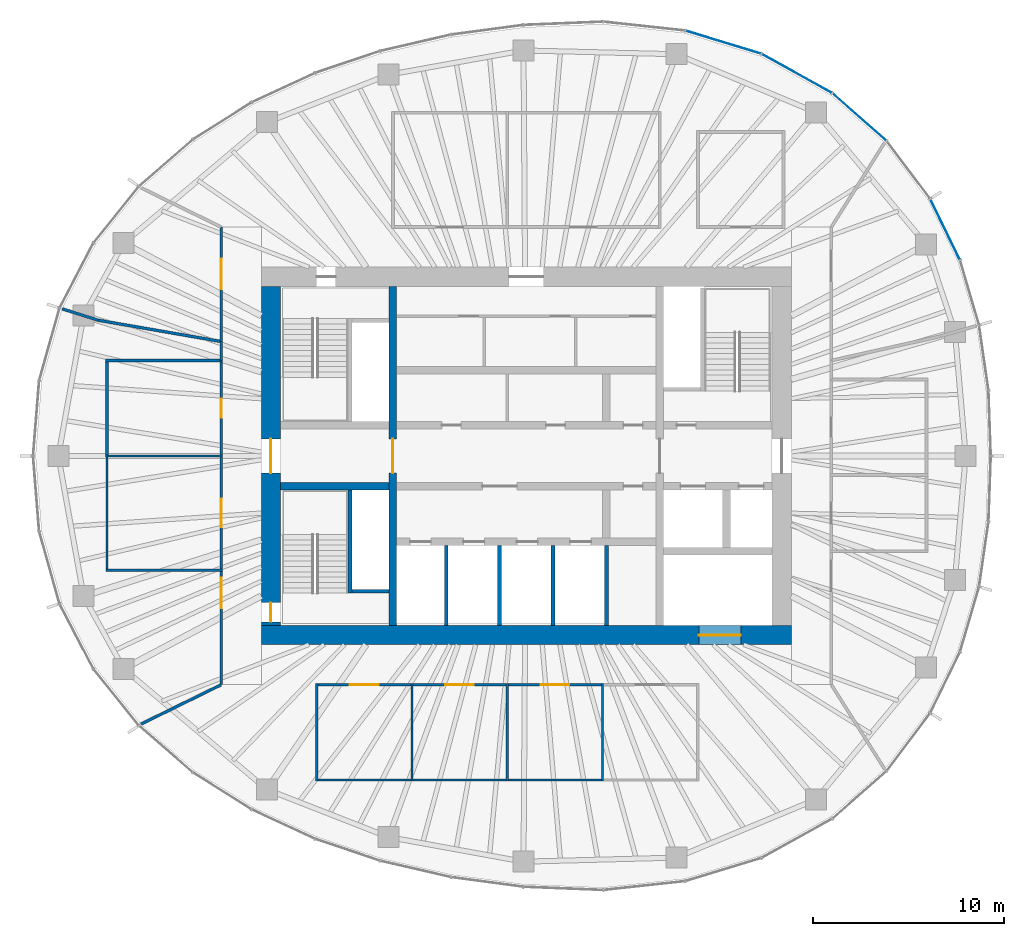
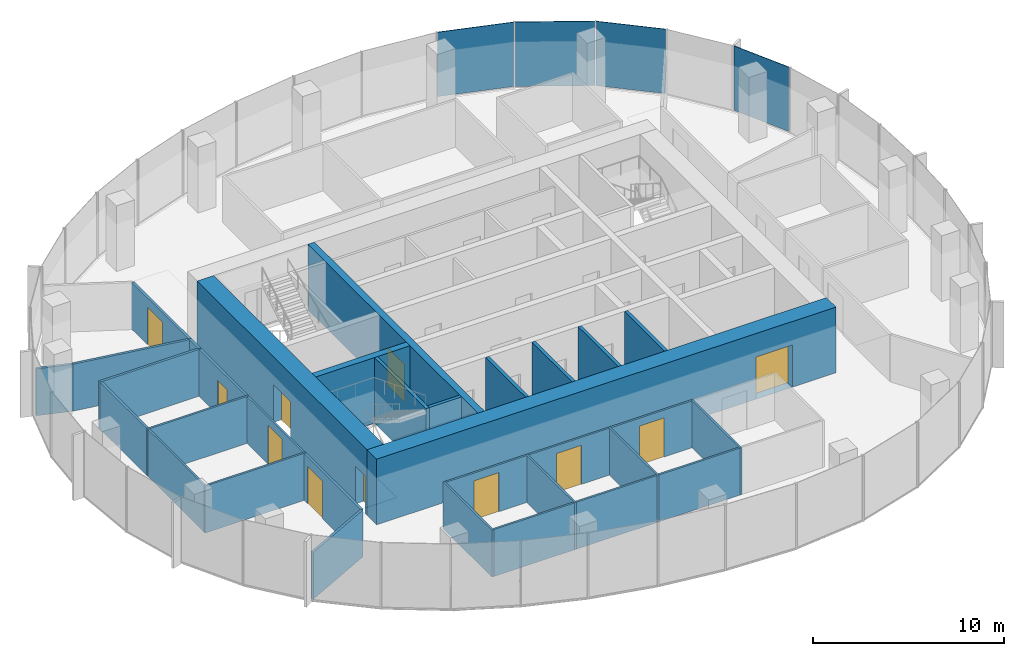
# One storey, part 8 of 11: 33 walls, 11 doors, 4 plates, 11 openings, 3 elements without a shape of their own.
"""IFC4 building model written with IfcOpenShell, lengths in metres."""

import ifcopenshell
import ifcopenshell.guid

model = None  # the IFC model being written
_history = None  # IfcOwnerHistory: only IFC2X3 demands one
_inside = {}  # id of a spatial element -> (the spatial element, [elements in it])
_under = {}  # id of a project, library or spatial element -> (it, [spatial elements below it])
_declared = {}  # id of a project -> (the project, [libraries it declares])
_typed = {}  # id of a type object -> (the type object, [elements of that type])
_made_of = {}  # id of a material, layer set ... -> (it, [elements and type objects made of it])


def new_model(schema):
    """Start an empty IFC model of exactly this schema.

    Asked for "IFC4X3", IfcOpenShell would pick the latest addendum, in which some entities
    have other attributes; the version numbers below select the first issue.
    IFC2X3 requires an IfcOwnerHistory on every rooted entity: one is made here for all.
    """
    global model, _history
    if schema == "IFC4X3":
        model = ifcopenshell.file(schema_version=(4, 3, 0, 0))
    else:
        model = ifcopenshell.file(schema=schema)
    _inside.clear()
    _under.clear()
    _declared.clear()
    _typed.clear()
    _made_of.clear()
    _history = None
    if model.schema == "IFC2X3":
        org = make("IfcOrganization", Name="unknown")
        user = make(
            "IfcPersonAndOrganization",
            ThePerson=make("IfcPerson", FamilyName="unknown"),
            TheOrganization=org,
        )
        app = make(
            "IfcApplication",
            ApplicationDeveloper=org,
            Version="unknown",
            ApplicationFullName="unknown",
            ApplicationIdentifier="unknown",
        )
        _history = make(
            "IfcOwnerHistory",
            OwningUser=user,
            OwningApplication=app,
            ChangeAction="ADDED",
            CreationDate=0,
        )
    return model


def make(cls, **values):
    """One entity of the class cls with the attributes given. An attribute that is None is left unset."""
    return model.create_entity(
        cls, **{name: value for name, value in values.items() if value is not None}
    )


def rooted(cls, **values):
    """An entity with a GlobalId (a new one), such as an element, a storey or a relation."""
    return make(cls, GlobalId=ifcopenshell.guid.new(), OwnerHistory=_history, **values)


def si_unit(unit_type, name, prefix=None):
    """IfcSIUnit, for example si_unit("LENGTHUNIT", "METRE", prefix="MILLI")."""
    return make("IfcSIUnit", UnitType=unit_type, Prefix=prefix, Name=name)


def assignment(units):
    """IfcUnitAssignment: the units of a project."""
    return None if units is None else make("IfcUnitAssignment", Units=units)


def point(xyz):
    """IfcCartesianPoint."""
    return None if xyz is None else make("IfcCartesianPoint", Coordinates=xyz)


def direction(xyz):
    """IfcDirection."""
    return None if xyz is None else make("IfcDirection", DirectionRatios=xyz)


def frame(location, z_axis=None, x_axis=None):
    """IfcAxis2Placement3D, a coordinate frame: its origin and axes. An axis left out is left unset."""
    return make(
        "IfcAxis2Placement3D",
        Location=point(location),
        Axis=direction(z_axis),
        RefDirection=direction(x_axis),
    )


def frame_2d(location, x_axis=None):
    """IfcAxis2Placement2D, a coordinate frame in the plane: its origin and x axis."""
    return make(
        "IfcAxis2Placement2D", Location=point(location), RefDirection=direction(x_axis)
    )


def origin():
    """The frame at (0, 0, 0) with its axes left unset."""
    return frame((0.0, 0.0, 0.0))


def origin_2d():
    """The frame at (0, 0) in the plane with its x axis left unset."""
    return frame_2d((0.0, 0.0))


def place(relative_to, where):
    """IfcLocalPlacement: puts the frame where relative to a parent placement (None: the world)."""
    return make(
        "IfcLocalPlacement", PlacementRelTo=relative_to, RelativePlacement=where
    )


def context(
    kind, dimensions, precision=None, world=None, true_north=None, identifier=None
):
    """IfcGeometricRepresentationContext, for example the 3D "Model" context."""
    return make(
        "IfcGeometricRepresentationContext",
        ContextIdentifier=identifier,
        ContextType=kind,
        CoordinateSpaceDimension=dimensions,
        Precision=precision,
        WorldCoordinateSystem=world,
        TrueNorth=true_north,
    )


def subcontext(parent, identifier, kind, view, scale=None):
    """IfcGeometricRepresentationSubContext, for example "Body" below "Model"."""
    return make(
        "IfcGeometricRepresentationSubContext",
        ContextIdentifier=identifier,
        ContextType=kind,
        ParentContext=parent,
        TargetScale=scale,
        TargetView=view,
    )


def project(units=None, contexts=None):
    """IfcProject with its units and contexts."""
    return rooted(
        "IfcProject",
        Name="project",
        RepresentationContexts=contexts,
        UnitsInContext=assignment(units),
    )


def spatial(cls, under=None, at=None, **own):
    """A site, building, storey or space (cls), placed at a placement, below another one or the project."""
    s = rooted(cls, ObjectPlacement=at, **own)
    if under is not None:
        _under.setdefault(under.id(), (under, []))[1].append(s)
    return s


def profile(cls, at=None, kind="AREA", **sizes):
    """A parametric profile (cls). Its sizes go by their IFC names, for example OverallWidth=200.0."""
    return make(cls, ProfileType=kind, Position=at, **sizes)


def rectangle(**sizes):
    """IfcRectangleProfileDef."""
    return profile("IfcRectangleProfileDef", **sizes)


def extrude(swept, where, along, depth):
    """IfcExtrudedAreaSolid: the profile swept, set in the frame where, extruded along a direction by depth."""
    return make(
        "IfcExtrudedAreaSolid",
        SweptArea=swept,
        Position=where,
        ExtrudedDirection=direction(along),
        Depth=depth,
    )


def shape(context_of_items, identifier, shape_type, items):
    """IfcShapeRepresentation: the items that make up one representation, for example the "Body"."""
    return make(
        "IfcShapeRepresentation",
        ContextOfItems=context_of_items,
        RepresentationIdentifier=identifier,
        RepresentationType=shape_type,
        Items=items,
    )


def material(Name=None, Category=None):
    """IfcMaterial."""
    return make("IfcMaterial", Name=Name, Category=Category)


def layer(
    of_material, thickness, ventilated=None, Name=None, Category=None, Priority=None
):
    """IfcMaterialLayer: one layer of a wall or slab, of a material (None: an air gap)."""
    return make(
        "IfcMaterialLayer",
        Material=of_material,
        LayerThickness=thickness,
        IsVentilated=ventilated,
        Name=Name,
        Category=Category,
        Priority=Priority,
    )


def layer_set(layers, Name=None):
    """IfcMaterialLayerSet."""
    return make("IfcMaterialLayerSet", MaterialLayers=layers, LayerSetName=Name)


def made_of(thing, what):
    """Note that an element or type object is made of a material, layer set ...; save() writes the relation."""
    if what is not None:
        _made_of.setdefault(what.id(), (what, []))[1].append(thing)
    return thing


def type_object(cls, material=None, **own):
    """A type object (cls), such as IfcWallType, which elements share."""
    return made_of(rooted(cls, **own), material)


def element(
    cls,
    number,
    at=None,
    inside=None,
    cuts=None,
    type_object=None,
    material=None,
    context=None,
    identifier="Body",
    shape_type=None,
    held_by="IfcProductDefinitionShape",
    body=None,
    shapes=None,
    **own,
):
    """One element of the class cls, such as IfcWall. Its Tag is "e" and its number.

    at: its placement. inside: the storey or other place that contains it. cuts: it is an
    opening in that element (IfcRelVoidsElement). A single representation is given by context,
    identifier, shape_type and body (its items); several are given by shapes. held_by: the class
    of the entity that holds the representations. save() writes the other relations.
    """
    e = rooted(cls, Tag="e%d" % number, ObjectPlacement=at, **own)
    if body is not None:
        shapes = [shape(context, identifier, shape_type, body)]
    if shapes is not None:
        e.Representation = make(held_by, Representations=shapes)
    if inside is not None:
        _inside.setdefault(inside.id(), (inside, []))[1].append(e)
    if cuts is not None:
        rooted(
            "IfcRelVoidsElement", RelatingBuildingElement=cuts, RelatedOpeningElement=e
        )
    if type_object is not None:
        _typed.setdefault(type_object.id(), (type_object, []))[1].append(e)
    return made_of(e, material)


def fill(opening, filler):
    """IfcRelFillsElement: the door or window that sits in an opening."""
    return rooted(
        "IfcRelFillsElement",
        RelatingOpeningElement=opening,
        RelatedBuildingElement=filler,
    )


def aggregate(whole, parts):
    """IfcRelAggregates: a whole, such as a stair, and the parts it consists of."""
    return rooted("IfcRelAggregates", RelatingObject=whole, RelatedObjects=parts)


def save(model, path):
    """Write the relations noted so far, then the file.

    IfcRelAggregates (storeys below a building ...), IfcRelContainedInSpatialStructure (elements
    in a storey), IfcRelDefinesByType, IfcRelAssociatesMaterial and IfcRelDeclares: one each for
    every whole, place, type object, material and project.
    """
    for whole, parts in _under.values():
        aggregate(whole, parts)
    for where, things in _inside.values():
        rooted(
            "IfcRelContainedInSpatialStructure",
            RelatedElements=things,
            RelatingStructure=where,
        )
    for kind, things in _typed.values():
        rooted("IfcRelDefinesByType", RelatedObjects=things, RelatingType=kind)
    for what, things in _made_of.values():
        rooted("IfcRelAssociatesMaterial", RelatedObjects=things, RelatingMaterial=what)
    for by, libraries in _declared.values():
        rooted("IfcRelDeclares", RelatingContext=by, RelatedDefinitions=libraries)
    model.write(path)


model = new_model("IFC4")

# Units and contexts
model_context = context("Model", 3, precision=1e-05, world=origin(), true_north=direction((0.0, 1.0)))
body_context = subcontext(model_context, "Body", "Model", "MODEL_VIEW")
ifc_project = project(units=[si_unit("LENGTHUNIT", "METRE"), si_unit("AREAUNIT", "SQUARE_METRE"), si_unit("VOLUMEUNIT", "CUBIC_METRE"), si_unit("PLANEANGLEUNIT", "RADIAN"), si_unit("MASSUNIT", "GRAM", prefix="KILO")], contexts=[model_context])

# Site, building, storey
site_placement = place(None, origin())
site = spatial("IfcSite", under=ifc_project, at=site_placement, CompositionType="ELEMENT")
building_placement = place(site_placement, origin())
building = spatial("IfcBuilding", under=site, at=building_placement, Name="Ghaith Harvest Tower", CompositionType="ELEMENT")
storey_placement = place(building_placement, frame((0.0, 0.0, 288.0)))
storey = spatial("IfcBuildingStorey", under=building, at=storey_placement, Name="L64", CompositionType="ELEMENT", Elevation=288.0)

# Curtain wall, plate
ifc_material_1 = material(Name="Black anodised aluminium and fritted glass", Category="aluminium")
curtain_wall_type = type_object("IfcCurtainWallType", Name="CW-T CURTAIN WALL", PredefinedType="NOTDEFINED", material=ifc_material_1)
curtain_wall_1_placement = place(storey_placement, origin())
curtain_wall_1 = element("IfcCurtainWall", 1, at=curtain_wall_1_placement, inside=storey, type_object=curtain_wall_type, Name="Curtain wall CW-T bay 02 L64", PredefinedType="NOTDEFINED")
ifc_material_2 = material(Name="Glass, dark solar-control fritted double glazed unit", Category="glass")
ifc_layer_1 = layer(ifc_material_2, 0.033935546875)
ifc_layer_set_1 = layer_set([ifc_layer_1], Name="CW-T VISION PANEL")
plate_type = type_object("IfcPlateType", Name="CW-T VISION PANEL", PredefinedType="CURTAIN_PANEL", material=ifc_layer_set_1)
plate_1_placement = place(storey_placement, frame((21.9716796875, 11.878662109375, 0.079833984375), z_axis=(0.0, 0.0, 1.0), x_axis=(-0.437968365148, 0.898990384337, 0.0)))
plate_1 = element("IfcPlate", 2, at=plate_1_placement, type_object=plate_type, Name="CW-T glass unit 2 bay 02 L64", PredefinedType="CURTAIN_PANEL", context=body_context, shape_type="SweptSolid", body=[
    extrude(rectangle(XDim=3.49365234375, YDim=0.033935546875, at=origin_2d()), origin(), (0.0, 0.0, 1.0), 4.1201171875),
])
aggregate(curtain_wall_1, [plate_1])

curtain_wall_2_placement = place(storey_placement, origin())
curtain_wall_2 = element("IfcCurtainWall", 3, at=curtain_wall_2_placement, inside=storey, type_object=curtain_wall_type, Name="Curtain wall CW-T bay 03 L64", PredefinedType="NOTDEFINED")
plate_2_placement = place(storey_placement, frame((17.47509765625, 17.779541015625, 0.079833984375), z_axis=(0.0, 0.0, 1.0), x_axis=(-0.751334532416, 0.659921525941, 0.0)))
plate_2 = element("IfcPlate", 4, at=plate_2_placement, type_object=plate_type, Name="CW-T glass unit 2 bay 03 L64", PredefinedType="CURTAIN_PANEL", context=body_context, shape_type="SweptSolid", body=[
    extrude(rectangle(XDim=3.7158203125, YDim=0.033935546875, at=origin_2d()), origin(), (0.0, 0.0, 1.0), 4.1201171875),
])
aggregate(curtain_wall_2, [plate_2])

# Curtain wall, plates
curtain_wall_3_placement = place(storey_placement, origin())
curtain_wall_3 = element("IfcCurtainWall", 5, at=curtain_wall_3_placement, inside=storey, type_object=curtain_wall_type, Name="Curtain wall CW-T bay 04 L64", PredefinedType="NOTDEFINED")
plate_3_placement = place(storey_placement, frame((14.19189453125, 20.06201171875, 0.079833984375), z_axis=(0.0, 0.0, 1.0), x_axis=(-0.87456402291, 0.484910063653, 0.0)))
plate_3 = element("IfcPlate", 6, at=plate_3_placement, type_object=plate_type, Name="CW-T glass unit 1 bay 04 L64", PredefinedType="CURTAIN_PANEL", context=body_context, shape_type="SweptSolid", body=[
    extrude(rectangle(XDim=4.167724609375, YDim=0.033935546875, at=origin_2d()), origin(), (0.0, 0.0, 1.0), 4.1201171875),
])
plate_4_placement = place(storey_placement, frame((10.337158203125, 21.700439453125, 0.079833984375), z_axis=(0.0, 0.0, 1.0), x_axis=(-0.956587736124, 0.291444511181, 0.0)))
plate_4 = element("IfcPlate", 7, at=plate_4_placement, type_object=plate_type, Name="CW-T glass unit 2 bay 04 L64", PredefinedType="CURTAIN_PANEL", context=body_context, shape_type="SweptSolid", body=[
    extrude(rectangle(XDim=4.095703125, YDim=0.033935546875, at=origin_2d()), origin(), (0.0, 0.0, 1.0), 4.1201171875),
])
aggregate(curtain_wall_3, [plate_3, plate_4])

# Wall, opening, door
ifc_material_3 = material(Name="Concrete C50/60", Category="concrete")
ifc_layer_2 = layer(ifc_material_3, 1.0)
ifc_layer_set_2 = layer_set([ifc_layer_2], Name="CORE WALL CW1000")
wall_type_1 = type_object("IfcWallType", Name="CORE WALL CW1000", PredefinedType="SHEAR", material=ifc_layer_set_2)
wall_1_placement = place(storey_placement, frame((-13.89990234375, -9.39990234375, 0.0), z_axis=(0.0, 0.0, 1.0), x_axis=(1.0, 0.0, 0.0)))
wall_1 = element("IfcWall", 8, at=wall_1_placement, inside=storey, type_object=wall_type_1, Name="Core wall S L64", PredefinedType="SHEAR", context=body_context, shape_type="SweptSolid", body=[
    extrude(rectangle(XDim=27.7998046875, YDim=1.0, at=frame_2d((13.89990234375, 0.0))), origin(), (0.0, 0.0, 1.0), 4.199951171875),
])
opening_1_placement = place(wall_1_placement, frame((22.949951171875, 0.0, 0.0)))
opening_1 = element("IfcOpeningElement", 9, at=opening_1_placement, cuts=wall_1, Name="Opening 64-023", PredefinedType="OPENING", context=body_context, shape_type="SweptSolid", body=[
    extrude(rectangle(XDim=2.199951171875, YDim=2.699951171875, at=frame_2d((1.10009765625, 1.35009765625))), frame((0.0, 0.510009765625, 0.0), z_axis=(0.0, -1.0, 0.0), x_axis=(1.0, 0.0, 0.0)), (0.0, 0.0, 1.0), 1.02001953125),
])
ifc_material_4 = material(Name="Steel fire door", Category="steel")
door_type_1 = type_object("IfcDoorType", Name="LD3 LANDING 2200x2700", OperationType="DOUBLE_DOOR_SLIDING", PredefinedType="DOOR", material=ifc_material_4)
door_1_placement = place(opening_1_placement, origin())
door_1 = element("IfcDoor", 10, at=door_1_placement, inside=storey, type_object=door_type_1, Name="Landing door, goods lift GL1", OperationType="DOUBLE_DOOR_SLIDING", OverallHeight=2.699951171875, OverallWidth=2.199951171875, PredefinedType="DOOR", context=body_context, shape_type="SweptSolid", body=[
    extrude(rectangle(XDim=2.199951171875, YDim=2.699951171875, at=frame_2d((1.10009765625, 1.35009765625))), frame((0.0, 0.02490234375, 0.0), z_axis=(0.0, -1.0, 0.0), x_axis=(1.0, 0.0, 0.0)), (0.0, 0.0, 1.0), 0.050048828125),
])
fill(opening_1, door_1)

# Wall, openings, doors
wall_2_placement = place(storey_placement, frame((-13.39990234375, 8.89990234375, 0.0), z_axis=(0.0, 0.0, 1.0), x_axis=(0.0, -1.0, 0.0)))
wall_2 = element("IfcWall", 11, at=wall_2_placement, inside=storey, type_object=wall_type_1, Name="Core wall W L64", PredefinedType="SHEAR", context=body_context, shape_type="SweptSolid", body=[
    extrude(rectangle(XDim=17.7998046875, YDim=1.0, at=frame_2d((8.89990234375, 0.0))), origin(), (0.0, 0.0, 1.0), 4.199951171875),
])
opening_2_placement = place(wall_2_placement, frame((8.0, 0.0, 0.0)))
opening_2 = element("IfcOpeningElement", 12, at=opening_2_placement, cuts=wall_2, Name="Opening 64-001", PredefinedType="OPENING", context=body_context, shape_type="SweptSolid", body=[
    extrude(rectangle(XDim=1.800048828125, YDim=2.39990234375, at=frame_2d((0.89990234375, 1.199951171875))), frame((0.0, 0.510009765625, 0.0), z_axis=(0.0, -1.0, 0.0), x_axis=(1.0, 0.0, 0.0)), (0.0, 0.0, 1.0), 1.02001953125),
])
opening_3_placement = place(wall_2_placement, frame((16.60009765625, 0.0, 0.0)))
opening_3 = element("IfcOpeningElement", 13, at=opening_3_placement, cuts=wall_2, Name="Opening 64-006", PredefinedType="OPENING", context=body_context, shape_type="SweptSolid", body=[
    extrude(rectangle(XDim=1.0, YDim=2.39990234375, at=frame_2d((0.5, 1.199951171875))), frame((0.0, 0.510009765625, 0.0), z_axis=(0.0, -1.0, 0.0), x_axis=(1.0, 0.0, 0.0)), (0.0, 0.0, 1.0), 1.02001953125),
])
ifc_material_5 = material(Name="Steel fire door", Category="steel")
door_type_2 = type_object("IfcDoorType", Name="D3 FD90 1000x2400", OperationType="SINGLE_SWING_LEFT", PredefinedType="DOOR", material=ifc_material_5)
door_2_placement = place(opening_3_placement, origin())
door_2 = element("IfcDoor", 14, at=door_2_placement, inside=storey, type_object=door_type_2, Name="Stair ST3 door", OperationType="SINGLE_SWING_RIGHT", OverallHeight=2.39990234375, OverallWidth=1.0, PredefinedType="DOOR", context=body_context, shape_type="SweptSolid", body=[
    extrude(rectangle(XDim=1.0, YDim=2.39990234375, at=frame_2d((0.5, 1.199951171875))), frame((0.0, 0.02490234375, 0.0), z_axis=(0.0, -1.0, 0.0), x_axis=(1.0, 0.0, 0.0)), (0.0, 0.0, 1.0), 0.050048828125),
])
fill(opening_3, door_2)
ifc_material_6 = material(Name="Steel fire door", Category="steel")
door_type_3 = type_object("IfcDoorType", Name="D4 FD90 PAIR 1800x2400", OperationType="DOUBLE_DOOR_SINGLE_SWING", PredefinedType="DOOR", material=ifc_material_6)
door_3_placement = place(opening_2_placement, origin())
door_3 = element("IfcDoor", 15, at=door_3_placement, inside=storey, type_object=door_type_3, Name="West lobby doors", OperationType="DOUBLE_DOOR_SINGLE_SWING", OverallHeight=2.39990234375, OverallWidth=1.800048828125, PredefinedType="DOOR", context=body_context, shape_type="SweptSolid", body=[
    extrude(rectangle(XDim=1.800048828125, YDim=2.39990234375, at=frame_2d((0.89990234375, 1.199951171875))), frame((0.0, 0.02490234375, 0.0), z_axis=(0.0, -1.0, 0.0), x_axis=(1.0, 0.0, 0.0)), (0.0, 0.0, 1.0), 0.050048828125),
])
fill(opening_2, door_3)

# Walls
ifc_material_7 = material(Name="Insulated food-grade panel", Category="steel")
ifc_layer_3 = layer(ifc_material_7, 0.1201171875)
ifc_layer_set_3 = layer_set([ifc_layer_3], Name="INSULATED PANEL WALL 120")
wall_type_2 = type_object("IfcWallType", Name="INSULATED PANEL WALL 120", PredefinedType="PARTITIONING", material=ifc_layer_set_3)
for number, where, z_axis, x_axis, name in (
    (16, (-11.0, -11.93994140625, 0.0), (0.0, 0.0, 1.0), (0.0, -1.0, 0.0), "Partition L64 row S1 cross wall 1"),
    (17, (-6.0, -11.93994140625, 0.0), (0.0, 0.0, 1.0), (0.0, -1.0, 0.0), "Partition L64 row S1 cross wall 2"),
    (18, (-1.0, -11.93994140625, 0.0), (0.0, 0.0, 1.0), (0.0, -1.0, 0.0), "Partition L64 row S1 cross wall 3"),
    (19, (4.0, -11.93994140625, 0.0), (0.0, 0.0, 1.0), (0.0, -1.0, 0.0), "Partition L64 row S1 cross wall 4"),
):
    element("IfcWall", number, at=place(storey_placement, frame(where, z_axis=z_axis, x_axis=x_axis)), inside=storey, type_object=wall_type_2, Name=name, PredefinedType="PARTITIONING", context=body_context, shape_type="SweptSolid", body=[
        extrude(rectangle(XDim=5.1201171875, YDim=0.1201171875, at=frame_2d((2.56005859375, 0.0))), origin(), (0.0, 0.0, 1.0), 3.0),
    ])

# Wall, opening, door
wall_3_placement = place(storey_placement, frame((-10.93994140625, -12.0, 0.0), z_axis=(0.0, 0.0, 1.0), x_axis=(1.0, 0.0, 0.0)))
wall_3 = element("IfcWall", 20, at=wall_3_placement, inside=storey, type_object=wall_type_2, Name="Partition L64-01", PredefinedType="PARTITIONING", context=body_context, shape_type="SweptSolid", body=[
    extrude(rectangle(XDim=4.8798828125, YDim=0.1201171875, at=frame_2d((2.43994140625, 0.0))), origin(), (0.0, 0.0, 1.0), 3.0),
])
opening_4_placement = place(wall_3_placement, frame((1.68994140625, 0.0, 0.0)))
opening_4 = element("IfcOpeningElement", 21, at=opening_4_placement, cuts=wall_3, Name="Opening 64-024", PredefinedType="OPENING", context=body_context, shape_type="SweptSolid", body=[
    extrude(rectangle(XDim=1.5, YDim=2.5, at=frame_2d((0.75, 1.25))), frame((0.0, 0.070068359375, 0.0), z_axis=(0.0, -1.0, 0.0), x_axis=(1.0, 0.0, 0.0)), (0.0, 0.0, 1.0), 0.14013671875),
])
ifc_material_8 = material(Name="Insulated steel sliding door", Category="steel")
door_type_4 = type_object("IfcDoorType", Name="D13 COLD STORE SLIDING 1500x2500", OperationType="SLIDING_TO_LEFT", PredefinedType="DOOR", material=ifc_material_8)
door_4_placement = place(opening_4_placement, origin())
door_4 = element("IfcDoor", 22, at=door_4_placement, inside=storey, type_object=door_type_4, Name="Mushroom growing room door", OperationType="SLIDING_TO_LEFT", OverallHeight=2.5, OverallWidth=1.5, PredefinedType="DOOR", context=body_context, shape_type="SweptSolid", body=[
    extrude(rectangle(XDim=1.5, YDim=2.5, at=frame_2d((0.75, 1.25))), frame((0.0, 0.02490234375, 0.0), z_axis=(0.0, -1.0, 0.0), x_axis=(1.0, 0.0, 0.0)), (0.0, 0.0, 1.0), 0.050048828125),
])
fill(opening_4, door_4)

# Wall
wall_4_placement = place(storey_placement, frame((-10.93994140625, -17.0, 0.0), z_axis=(0.0, 0.0, 1.0), x_axis=(1.0, 0.0, 0.0)))
element("IfcWall", 23, at=wall_4_placement, inside=storey, type_object=wall_type_2, Name="Partition L64-01", PredefinedType="PARTITIONING", context=body_context, shape_type="SweptSolid", body=[
    extrude(rectangle(XDim=4.8798828125, YDim=0.1201171875, at=frame_2d((2.43994140625, 0.0))), origin(), (0.0, 0.0, 1.0), 3.0),
])

# Wall, opening, door
wall_5_placement = place(storey_placement, frame((-5.93994140625, -12.0, 0.0), z_axis=(0.0, 0.0, 1.0), x_axis=(1.0, 0.0, 0.0)))
wall_5 = element("IfcWall", 24, at=wall_5_placement, inside=storey, type_object=wall_type_2, Name="Partition L64-02", PredefinedType="PARTITIONING", context=body_context, shape_type="SweptSolid", body=[
    extrude(rectangle(XDim=4.8798828125, YDim=0.1201171875, at=frame_2d((2.43994140625, 0.0))), origin(), (0.0, 0.0, 1.0), 3.0),
])
opening_5_placement = place(wall_5_placement, frame((1.68994140625, 0.0, 0.0)))
opening_5 = element("IfcOpeningElement", 25, at=opening_5_placement, cuts=wall_5, Name="Opening 64-025", PredefinedType="OPENING", context=body_context, shape_type="SweptSolid", body=[
    extrude(rectangle(XDim=1.5, YDim=2.5, at=frame_2d((0.75, 1.25))), frame((0.0, 0.070068359375, 0.0), z_axis=(0.0, -1.0, 0.0), x_axis=(1.0, 0.0, 0.0)), (0.0, 0.0, 1.0), 0.14013671875),
])
door_5_placement = place(opening_5_placement, origin())
door_5 = element("IfcDoor", 26, at=door_5_placement, inside=storey, type_object=door_type_4, Name="Mushroom growing room door", OperationType="SLIDING_TO_LEFT", OverallHeight=2.5, OverallWidth=1.5, PredefinedType="DOOR", context=body_context, shape_type="SweptSolid", body=[
    extrude(rectangle(XDim=1.5, YDim=2.5, at=frame_2d((0.75, 1.25))), frame((0.0, 0.02490234375, 0.0), z_axis=(0.0, -1.0, 0.0), x_axis=(1.0, 0.0, 0.0)), (0.0, 0.0, 1.0), 0.050048828125),
])
fill(opening_5, door_5)

# Wall
wall_6_placement = place(storey_placement, frame((-5.93994140625, -17.0, 0.0), z_axis=(0.0, 0.0, 1.0), x_axis=(1.0, 0.0, 0.0)))
element("IfcWall", 27, at=wall_6_placement, inside=storey, type_object=wall_type_2, Name="Partition L64-02", PredefinedType="PARTITIONING", context=body_context, shape_type="SweptSolid", body=[
    extrude(rectangle(XDim=4.8798828125, YDim=0.1201171875, at=frame_2d((2.43994140625, 0.0))), origin(), (0.0, 0.0, 1.0), 3.0),
])

# Wall, opening, door
wall_7_placement = place(storey_placement, frame((-0.93994140625, -12.0, 0.0), z_axis=(0.0, 0.0, 1.0), x_axis=(1.0, 0.0, 0.0)))
wall_7 = element("IfcWall", 28, at=wall_7_placement, inside=storey, type_object=wall_type_2, Name="Partition L64-03", PredefinedType="PARTITIONING", context=body_context, shape_type="SweptSolid", body=[
    extrude(rectangle(XDim=4.8798828125, YDim=0.1201171875, at=frame_2d((2.43994140625, 0.0))), origin(), (0.0, 0.0, 1.0), 3.0),
])
opening_6_placement = place(wall_7_placement, frame((1.68994140625, 0.0, 0.0)))
opening_6 = element("IfcOpeningElement", 29, at=opening_6_placement, cuts=wall_7, Name="Opening 64-026", PredefinedType="OPENING", context=body_context, shape_type="SweptSolid", body=[
    extrude(rectangle(XDim=1.5, YDim=2.5, at=frame_2d((0.75, 1.25))), frame((0.0, 0.070068359375, 0.0), z_axis=(0.0, -1.0, 0.0), x_axis=(1.0, 0.0, 0.0)), (0.0, 0.0, 1.0), 0.14013671875),
])
door_6_placement = place(opening_6_placement, origin())
door_6 = element("IfcDoor", 30, at=door_6_placement, inside=storey, type_object=door_type_4, Name="Mushroom growing room door", OperationType="SLIDING_TO_LEFT", OverallHeight=2.5, OverallWidth=1.5, PredefinedType="DOOR", context=body_context, shape_type="SweptSolid", body=[
    extrude(rectangle(XDim=1.5, YDim=2.5, at=frame_2d((0.75, 1.25))), frame((0.0, 0.02490234375, 0.0), z_axis=(0.0, -1.0, 0.0), x_axis=(1.0, 0.0, 0.0)), (0.0, 0.0, 1.0), 0.050048828125),
])
fill(opening_6, door_6)

# Walls
wall_8_placement = place(storey_placement, frame((-0.93994140625, -17.0, 0.0), z_axis=(0.0, 0.0, 1.0), x_axis=(1.0, 0.0, 0.0)))
element("IfcWall", 31, at=wall_8_placement, inside=storey, type_object=wall_type_2, Name="Partition L64-03", PredefinedType="PARTITIONING", context=body_context, shape_type="SweptSolid", body=[
    extrude(rectangle(XDim=4.8798828125, YDim=0.1201171875, at=frame_2d((2.43994140625, 0.0))), origin(), (0.0, 0.0, 1.0), 3.0),
])
wall_9_placement = place(storey_placement, frame((-15.93994140625, -6.0, 0.0), z_axis=(0.0, 0.0, 1.0), x_axis=(-1.0, 0.0, 0.0)))
element("IfcWall", 32, at=wall_9_placement, inside=storey, type_object=wall_type_2, Name="Partition L64 row W2 cross wall 1", PredefinedType="PARTITIONING", context=body_context, shape_type="SweptSolid", body=[
    extrude(rectangle(XDim=6.1201171875, YDim=0.1201171875, at=frame_2d((3.06005859375, 0.0))), origin(), (0.0, 0.0, 1.0), 3.0),
])
wall_10_placement = place(storey_placement, frame((-15.925048828125, 0.0, 0.0), z_axis=(0.0, 0.0, 1.0), x_axis=(-1.0, 0.0, 0.0)))
element("IfcWall", 33, at=wall_10_placement, inside=storey, type_object=wall_type_2, Name="Partition L64 row W2 cross wall 2", PredefinedType="PARTITIONING", context=body_context, shape_type="SweptSolid", body=[
    extrude(rectangle(XDim=6.14990234375, YDim=0.1201171875, at=frame_2d((3.074951171875, 0.0))), origin(), (0.0, 0.0, 1.0), 3.0),
])

# Wall, opening, door
wall_11_placement = place(storey_placement, frame((-16.0, -5.93994140625, 0.0), z_axis=(0.0, 0.0, 1.0), x_axis=(0.0, 1.0, 0.0)))
wall_11 = element("IfcWall", 34, at=wall_11_placement, inside=storey, type_object=wall_type_2, Name="Partition L64-05", PredefinedType="PARTITIONING", context=body_context, shape_type="SweptSolid", body=[
    extrude(rectangle(XDim=5.8798828125, YDim=0.1201171875, at=frame_2d((2.93994140625, 0.0))), origin(), (0.0, 0.0, 1.0), 3.0),
])
opening_7_placement = place(wall_11_placement, frame((2.18994140625, 0.0, 0.0)))
opening_7 = element("IfcOpeningElement", 35, at=opening_7_placement, cuts=wall_11, Name="Opening 64-028", PredefinedType="OPENING", context=body_context, shape_type="SweptSolid", body=[
    extrude(rectangle(XDim=1.5, YDim=2.5, at=frame_2d((0.75, 1.25))), frame((0.0, 0.070068359375, 0.0), z_axis=(0.0, -1.0, 0.0), x_axis=(1.0, 0.0, 0.0)), (0.0, 0.0, 1.0), 0.14013671875),
])
door_7_placement = place(opening_7_placement, origin())
door_7 = element("IfcDoor", 36, at=door_7_placement, inside=storey, type_object=door_type_4, Name="Spawn room door", OperationType="SLIDING_TO_LEFT", OverallHeight=2.5, OverallWidth=1.5, PredefinedType="DOOR", context=body_context, shape_type="SweptSolid", body=[
    extrude(rectangle(XDim=1.5, YDim=2.5, at=frame_2d((0.75, 1.25))), frame((0.0, 0.02490234375, 0.0), z_axis=(0.0, -1.0, 0.0), x_axis=(1.0, 0.0, 0.0)), (0.0, 0.0, 1.0), 0.050048828125),
])
fill(opening_7, door_7)

# Walls
wall_12_placement = place(storey_placement, frame((-22.0, -5.93994140625, 0.0), z_axis=(0.0, 0.0, 1.0), x_axis=(0.0, 1.0, 0.0)))
element("IfcWall", 37, at=wall_12_placement, inside=storey, type_object=wall_type_2, Name="Partition L64-05", PredefinedType="PARTITIONING", context=body_context, shape_type="SweptSolid", body=[
    extrude(rectangle(XDim=5.8798828125, YDim=0.1201171875, at=frame_2d((2.93994140625, 0.0))), origin(), (0.0, 0.0, 1.0), 3.0),
])
ifc_material_9 = material(Name="Concrete blockwork, 2-hour", Category="masonry")
ifc_layer_4 = layer(ifc_material_9, 0.199951171875)
ifc_layer_set_4 = layer_set([ifc_layer_4], Name="LIFT SHAFT WALL 200")
wall_type_3 = type_object("IfcWallType", Name="LIFT SHAFT WALL 200", PredefinedType="PARTITIONING", material=ifc_layer_set_4)
for number, where, z_axis, x_axis, name in (
    (38, (-4.199951171875, -4.699951171875, 0.0), (0.0, 0.0, 1.0), (0.0, -1.0, 0.0), "Lift shaft wall L64"),
    (39, (-1.39990234375, -4.699951171875, 0.0), (0.0, 0.0, 1.0), (0.0, -1.0, 0.0), "Lift shaft wall L64"),
    (40, (1.39990234375, -4.699951171875, 0.0), (0.0, 0.0, 1.0), (0.0, -1.0, 0.0), "Lift shaft wall L64"),
    (41, (4.199951171875, -4.699951171875, 0.0), (0.0, 0.0, 1.0), (0.0, -1.0, 0.0), "Lift shaft wall L64"),
):
    element("IfcWall", number, at=place(storey_placement, frame(where, z_axis=z_axis, x_axis=x_axis)), inside=storey, type_object=wall_type_3, Name=name, PredefinedType="PARTITIONING", context=body_context, shape_type="SweptSolid", body=[
        extrude(rectangle(XDim=4.199951171875, YDim=0.199951171875, at=frame_2d((2.10009765625, 0.0))), origin(), (0.0, 0.0, 1.0), 4.199951171875),
    ])
ifc_material_10 = material(Name="Gypsum board on steel studs", Category="steel")
ifc_layer_5 = layer(ifc_material_10, 0.14990234375)
ifc_layer_set_5 = layer_set([ifc_layer_5], Name="PARTITION 150")
wall_type_4 = type_object("IfcWallType", Name="PARTITION 150", PredefinedType="PARTITIONING", material=ifc_layer_set_5)
wall_13_placement = place(storey_placement, frame((-15.925048828125, 5.0, 0.0), z_axis=(0.0, 0.0, 1.0), x_axis=(-1.0, 0.0, 0.0)))
element("IfcWall", 42, at=wall_13_placement, inside=storey, type_object=wall_type_4, Name="Partition L64 row W2 cross wall 3", PredefinedType="PARTITIONING", context=body_context, shape_type="SweptSolid", body=[
    extrude(rectangle(XDim=6.14990234375, YDim=0.14990234375, at=frame_2d((3.074951171875, 0.0))), origin(), (0.0, 0.0, 1.0), 3.0),
])

# Wall, opening, door
wall_14_placement = place(storey_placement, frame((-16.0, 0.06005859375, 0.0), z_axis=(0.0, 0.0, 1.0), x_axis=(0.0, 1.0, 0.0)))
wall_14 = element("IfcWall", 43, at=wall_14_placement, inside=storey, type_object=wall_type_4, Name="Partition L64-06", PredefinedType="PARTITIONING", context=body_context, shape_type="SweptSolid", body=[
    extrude(rectangle(XDim=4.864990234375, YDim=0.14990234375, at=frame_2d((2.4326171875, 0.0))), origin(), (0.0, 0.0, 1.0), 3.0),
])
opening_8_placement = place(wall_14_placement, frame((1.9326171875, 0.0, 0.0)))
opening_8 = element("IfcOpeningElement", 44, at=opening_8_placement, cuts=wall_14, Name="Opening 64-029", PredefinedType="OPENING", context=body_context, shape_type="SweptSolid", body=[
    extrude(rectangle(XDim=1.0, YDim=2.199951171875, at=frame_2d((0.5, 1.10009765625))), frame((0.0, 0.0849609375, 0.0), z_axis=(0.0, -1.0, 0.0), x_axis=(1.0, 0.0, 0.0)), (0.0, 0.0, 1.0), 0.169921875),
])
ifc_material_11 = material(Name="Timber door", Category="wood")
door_type_5 = type_object("IfcDoorType", Name="D1 SINGLE 1000x2200", OperationType="SINGLE_SWING_LEFT", PredefinedType="DOOR", material=ifc_material_11)
door_8_placement = place(opening_8_placement, origin())
door_8 = element("IfcDoor", 45, at=door_8_placement, inside=storey, type_object=door_type_5, Name="Substrate preparation room door", OperationType="SINGLE_SWING_LEFT", OverallHeight=2.199951171875, OverallWidth=1.0, PredefinedType="DOOR", context=body_context, shape_type="SweptSolid", body=[
    extrude(rectangle(XDim=1.0, YDim=2.199951171875, at=frame_2d((0.5, 1.10009765625))), frame((0.0, 0.02490234375, 0.0), z_axis=(0.0, -1.0, 0.0), x_axis=(1.0, 0.0, 0.0)), (0.0, 0.0, 1.0), 0.050048828125),
])
fill(opening_8, door_8)

# Walls
wall_15_placement = place(storey_placement, frame((-22.0, 0.06005859375, 0.0), z_axis=(0.0, 0.0, 1.0), x_axis=(0.0, 1.0, 0.0)))
element("IfcWall", 46, at=wall_15_placement, inside=storey, type_object=wall_type_4, Name="Partition L64-06", PredefinedType="PARTITIONING", context=body_context, shape_type="SweptSolid", body=[
    extrude(rectangle(XDim=4.864990234375, YDim=0.14990234375, at=frame_2d((2.4326171875, 0.0))), origin(), (0.0, 0.0, 1.0), 3.0),
])
wall_16_placement = place(storey_placement, frame((-16.017822265625, -12.0087890625, 0.0), z_axis=(0.0, 0.0, 1.0), x_axis=(-0.897771840996, -0.440460805879, 0.0)))
element("IfcWall", 47, at=wall_16_placement, inside=storey, type_object=wall_type_4, Name="Partition L64 zone division", PredefinedType="PARTITIONING", context=body_context, shape_type="SweptSolid", body=[
    extrude(rectangle(XDim=4.66552734375, YDim=0.14990234375, at=frame_2d((2.332763671875, 0.0))), origin(), (0.0, 0.0, 1.0), 3.0),
])
wall_17_placement = place(storey_placement, frame((-16.02001953125, 6.00341796875, 0.0), z_axis=(0.0, 0.0, 1.0), x_axis=(-0.985343022818, 0.170584663391, 0.0)))
element("IfcWall", 48, at=wall_17_placement, inside=storey, type_object=wall_type_4, Name="Partition L64 zone division", PredefinedType="PARTITIONING", context=body_context, shape_type="SweptSolid", body=[
    extrude(rectangle(XDim=6.53759765625, YDim=0.14990234375, at=frame_2d((3.268798828125, 0.0))), origin(), (0.0, 0.0, 1.0), 3.0),
])
wall_18_placement = place(storey_placement, frame((-22.4619140625, 7.11865234375, 0.0), z_axis=(0.0, 0.0, 1.0), x_axis=(-0.953265294411, 0.302134537038, 0.0)))
element("IfcWall", 49, at=wall_18_placement, inside=storey, type_object=wall_type_4, Name="Partition L64 zone division", PredefinedType="PARTITIONING", context=body_context, shape_type="SweptSolid", body=[
    extrude(rectangle(XDim=1.979736328125, YDim=0.14990234375, at=frame_2d((0.98974609375, 0.0))), origin(), (0.0, 0.0, 1.0), 3.0),
])

# Wall, opening, door
wall_19_placement = place(storey_placement, frame((-16.0, -6.0, 0.0), z_axis=(0.0, 0.0, 1.0), x_axis=(0.0, -1.0, 0.0)))
wall_19 = element("IfcWall", 50, at=wall_19_placement, inside=storey, type_object=wall_type_4, Name="Partition L64 zone enclosure", PredefinedType="PARTITIONING", context=body_context, shape_type="SweptSolid", body=[
    extrude(rectangle(XDim=6.0, YDim=0.14990234375, at=frame_2d((3.0, 0.0))), origin(), (0.0, 0.0, 1.0), 3.0),
])
opening_9_placement = place(wall_19_placement, frame((0.39990234375, 0.0, 0.0)))
opening_9 = element("IfcOpeningElement", 51, at=opening_9_placement, cuts=wall_19, Name="Opening 64-037", PredefinedType="OPENING", context=body_context, shape_type="SweptSolid", body=[
    extrude(rectangle(XDim=1.60009765625, YDim=2.39990234375, at=frame_2d((0.800048828125, 1.199951171875))), frame((0.0, 0.0849609375, 0.0), z_axis=(0.0, -1.0, 0.0), x_axis=(1.0, 0.0, 0.0)), (0.0, 0.0, 1.0), 0.169921875),
])
ifc_material_12 = material(Name="Timber door", Category="wood")
door_type_6 = type_object("IfcDoorType", Name="D2 PAIR 1600x2400", OperationType="DOUBLE_DOOR_SINGLE_SWING", PredefinedType="DOOR", material=ifc_material_12)
door_9_placement = place(opening_9_placement, origin())
door_9 = element("IfcDoor", 52, at=door_9_placement, inside=storey, type_object=door_type_6, Name="Specialty growing area west 1 door", OperationType="DOUBLE_DOOR_SINGLE_SWING", OverallHeight=2.39990234375, OverallWidth=1.60009765625, PredefinedType="DOOR", context=body_context, shape_type="SweptSolid", body=[
    extrude(rectangle(XDim=1.60009765625, YDim=2.39990234375, at=frame_2d((0.800048828125, 1.199951171875))), frame((0.0, 0.02490234375, 0.0), z_axis=(0.0, -1.0, 0.0), x_axis=(1.0, 0.0, 0.0)), (0.0, 0.0, 1.0), 0.050048828125),
])
fill(opening_9, door_9)

# Wall
wall_20_placement = place(storey_placement, frame((-16.0, 6.0, 0.0), z_axis=(0.0, 0.0, 1.0), x_axis=(0.0, -1.0, 0.0)))
element("IfcWall", 53, at=wall_20_placement, inside=storey, type_object=wall_type_4, Name="Partition L64 zone enclosure", PredefinedType="PARTITIONING", context=body_context, shape_type="SweptSolid", body=[
    extrude(rectangle(XDim=1.0, YDim=0.14990234375, at=frame_2d((0.5, 0.0))), origin(), (0.0, 0.0, 1.0), 3.0),
])

# Wall, opening, door
wall_21_placement = place(storey_placement, frame((-16.0, 12.0, 0.0), z_axis=(0.0, 0.0, 1.0), x_axis=(0.0, -1.0, 0.0)))
wall_21 = element("IfcWall", 54, at=wall_21_placement, inside=storey, type_object=wall_type_4, Name="Partition L64 zone enclosure", PredefinedType="PARTITIONING", context=body_context, shape_type="SweptSolid", body=[
    extrude(rectangle(XDim=6.0, YDim=0.14990234375, at=frame_2d((3.0, 0.0))), origin(), (0.0, 0.0, 1.0), 3.0),
])
opening_10_placement = place(wall_21_placement, frame((1.64990234375, 0.0, 0.0)))
opening_10 = element("IfcOpeningElement", 55, at=opening_10_placement, cuts=wall_21, Name="Opening 64-038", PredefinedType="OPENING", context=body_context, shape_type="SweptSolid", body=[
    extrude(rectangle(XDim=1.60009765625, YDim=2.39990234375, at=frame_2d((0.800048828125, 1.199951171875))), frame((0.0, 0.0849609375, 0.0), z_axis=(0.0, -1.0, 0.0), x_axis=(1.0, 0.0, 0.0)), (0.0, 0.0, 1.0), 0.169921875),
])
door_10_placement = place(opening_10_placement, origin())
door_10 = element("IfcDoor", 56, at=door_10_placement, inside=storey, type_object=door_type_6, Name="Specialty growing area west 2 door", OperationType="DOUBLE_DOOR_SINGLE_SWING", OverallHeight=2.39990234375, OverallWidth=1.60009765625, PredefinedType="DOOR", context=body_context, shape_type="SweptSolid", body=[
    extrude(rectangle(XDim=1.60009765625, YDim=2.39990234375, at=frame_2d((0.800048828125, 1.199951171875))), frame((0.0, 0.02490234375, 0.0), z_axis=(0.0, -1.0, 0.0), x_axis=(1.0, 0.0, 0.0)), (0.0, 0.0, 1.0), 0.050048828125),
])
fill(opening_10, door_10)

ifc_material_13 = material(Name="Concrete C70/85", Category="concrete")
ifc_layer_6 = layer(ifc_material_13, 0.39990234375)
ifc_layer_set_6 = layer_set([ifc_layer_6], Name="SHAFT WALL 400")
wall_type_5 = type_object("IfcWallType", Name="SHAFT WALL 400", PredefinedType="SHEAR", material=ifc_layer_set_6)
wall_22_placement = place(storey_placement, frame((-7.0, -8.89990234375, 0.0), z_axis=(0.0, 0.0, 1.0), x_axis=(0.0, 1.0, 0.0)))
wall_22 = element("IfcWall", 57, at=wall_22_placement, inside=storey, type_object=wall_type_5, Name="Shaft wall W7W L64", PredefinedType="SHEAR", context=body_context, shape_type="SweptSolid", body=[
    extrude(rectangle(XDim=17.7998046875, YDim=0.39990234375, at=frame_2d((8.89990234375, 0.0))), origin(), (0.0, 0.0, 1.0), 4.199951171875),
])
opening_11_placement = place(wall_22_placement, frame((8.0, 0.0, 0.0)))
opening_11 = element("IfcOpeningElement", 58, at=opening_11_placement, cuts=wall_22, Name="Opening 64-003", PredefinedType="OPENING", context=body_context, shape_type="SweptSolid", body=[
    extrude(rectangle(XDim=1.800048828125, YDim=2.39990234375, at=frame_2d((0.89990234375, 1.199951171875))), frame((0.0, 0.2099609375, 0.0), z_axis=(0.0, -1.0, 0.0), x_axis=(1.0, 0.0, 0.0)), (0.0, 0.0, 1.0), 0.419921875),
])
door_11_placement = place(opening_11_placement, origin())
door_11 = element("IfcDoor", 59, at=door_11_placement, inside=storey, type_object=door_type_3, Name="Lift lobby doors, west", OperationType="DOUBLE_DOOR_SINGLE_SWING", OverallHeight=2.39990234375, OverallWidth=1.800048828125, PredefinedType="DOOR", context=body_context, shape_type="SweptSolid", body=[
    extrude(rectangle(XDim=1.800048828125, YDim=2.39990234375, at=frame_2d((0.89990234375, 1.199951171875))), frame((0.0, 0.02490234375, 0.0), z_axis=(0.0, -1.0, 0.0), x_axis=(1.0, 0.0, 0.0)), (0.0, 0.0, 1.0), 0.050048828125),
])
fill(opening_11, door_11)

# Walls
wall_23_placement = place(storey_placement, frame((-12.89990234375, -1.60009765625, 0.0), z_axis=(0.0, 0.0, 1.0), x_axis=(1.0, 0.0, 0.0)))
element("IfcWall", 60, at=wall_23_placement, inside=storey, type_object=wall_type_5, Name="Shaft wall WS L64", PredefinedType="SHEAR", context=body_context, shape_type="SweptSolid", body=[
    extrude(rectangle(XDim=5.699951171875, YDim=0.39990234375, at=frame_2d((2.85009765625, 0.0))), origin(), (0.0, 0.0, 1.0), 4.199951171875),
])
ifc_material_14 = material(Name="Concrete C40/50", Category="concrete")
ifc_layer_7 = layer(ifc_material_14, 0.199951171875)
ifc_layer_set_7 = layer_set([ifc_layer_7], Name="STAIR SPINE WALL RC200")
wall_type_6 = type_object("IfcWallType", Name="STAIR SPINE WALL RC200", PredefinedType="SOLIDWALL", material=ifc_layer_set_7)
wall_24_placement = place(storey_placement, frame((-9.25, -7.199951171875, 0.0), z_axis=(0.0, 0.0, 1.0), x_axis=(0.0, 1.0, 0.0)))
element("IfcWall", 61, at=wall_24_placement, inside=storey, type_object=wall_type_6, Name="Stair ST3 spine wall L64", PredefinedType="SOLIDWALL", context=body_context, shape_type="SweptSolid", body=[
    extrude(rectangle(XDim=5.39990234375, YDim=0.199951171875, at=frame_2d((2.699951171875, 0.0))), origin(), (0.0, 0.0, 1.0), 4.199951171875),
])
wall_25_placement = place(storey_placement, frame((-9.14990234375, -7.10009765625, 0.0), z_axis=(0.0, 0.0, 1.0), x_axis=(1.0, 0.0, 0.0)))
element("IfcWall", 62, at=wall_25_placement, inside=storey, type_object=wall_type_6, Name="Stair ST3 spine wall return L64", PredefinedType="SOLIDWALL", context=body_context, shape_type="SweptSolid", body=[
    extrude(rectangle(XDim=1.949951171875, YDim=0.199951171875, at=frame_2d((0.97509765625, 0.0))), origin(), (0.0, 0.0, 1.0), 4.199951171875),
])

save(model, "model.ifc")
